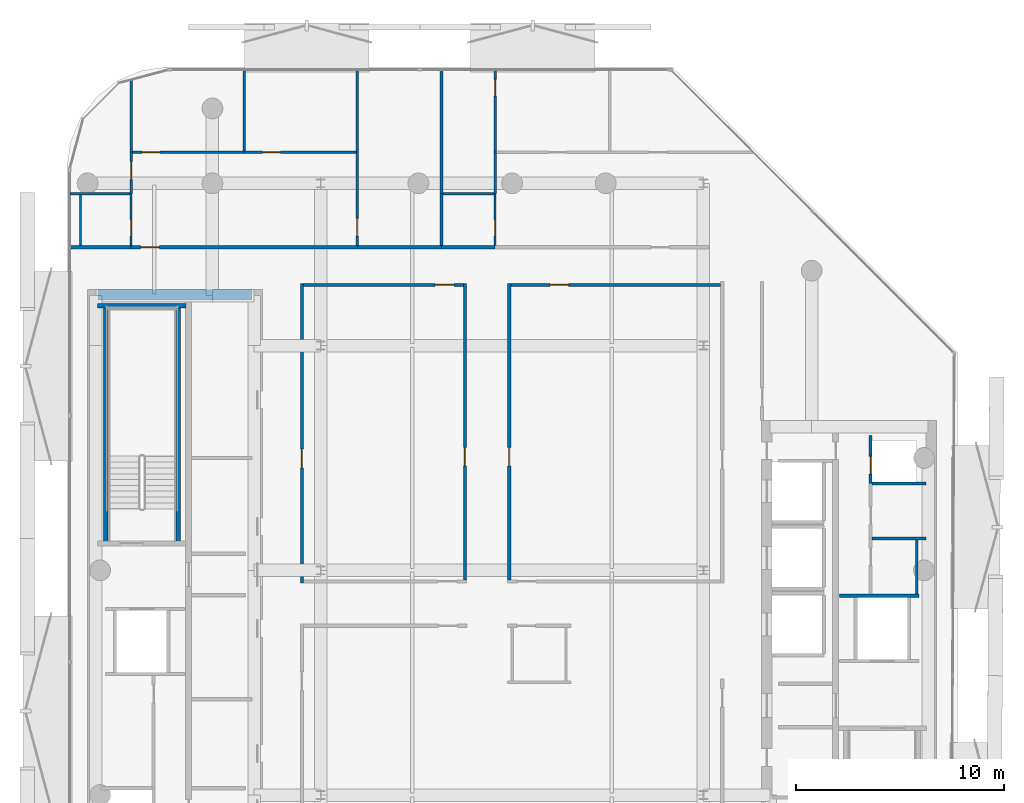
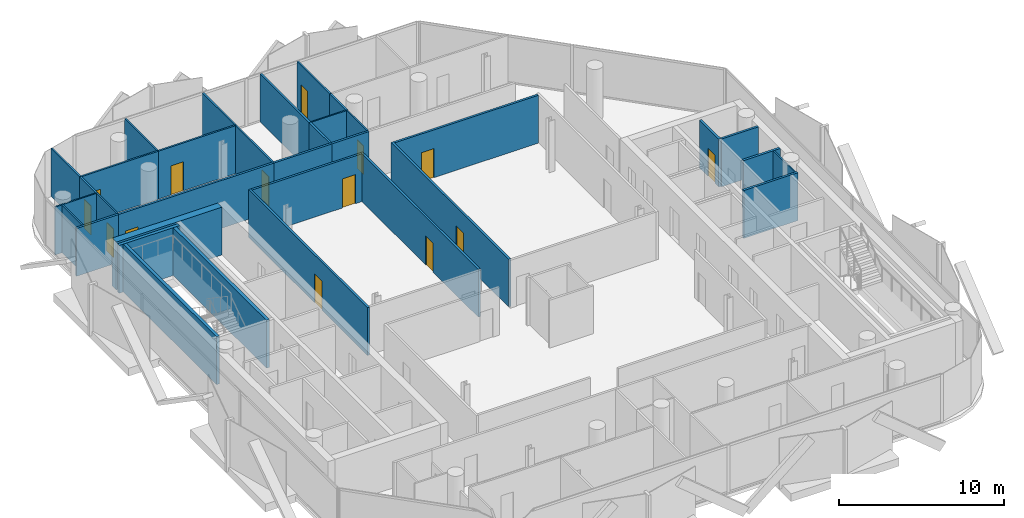
# One storey, part 7 of 16: 34 walls, 14 doors, 14 openings.
"""IFC4 building model written with IfcOpenShell, lengths in metres."""

from ifc_helpers import new_model, si_unit, direction, frame, frame_2d, origin, place, context, subcontext, project, spatial, rectangle, extrude, material, layer, layer_set, type_object, element, fill, save


model = new_model("IFC4")

# Units and contexts
model_context = context("Model", 3, precision=1e-05, world=origin(), true_north=direction((0.0, 1.0)))
body_context = subcontext(model_context, "Body", "Model", "MODEL_VIEW")
ifc_project = project(units=[si_unit("LENGTHUNIT", "METRE"), si_unit("AREAUNIT", "SQUARE_METRE"), si_unit("VOLUMEUNIT", "CUBIC_METRE"), si_unit("PLANEANGLEUNIT", "RADIAN"), si_unit("MASSUNIT", "GRAM", prefix="KILO")], contexts=[model_context])

# Site, building, storey
site_placement = place(None, origin())
site = spatial("IfcSite", under=ifc_project, at=site_placement, CompositionType="ELEMENT")
building_placement = place(site_placement, origin())
building = spatial("IfcBuilding", under=site, at=building_placement, Name="Khairoan Windgate Tower", CompositionType="ELEMENT")
storey_placement = place(building_placement, frame((0.0, 0.0, 300.39990234375)))
storey = spatial("IfcBuildingStorey", under=building, at=storey_placement, Name="L72", CompositionType="ELEMENT", Elevation=300.39990234375)

# Wall
ifc_material_1 = material(Name="Moisture-Resistant Gypsum Partition", Category="gypsum")
ifc_layer_1 = layer(ifc_material_1, 0.10009765625, Name="Moisture-Resistant Gypsum Partition")
ifc_layer_set_1 = layer_set([ifc_layer_1], Name="Moisture-Resistant Gypsum Partition")
wall_type_1 = type_object("IfcWallType", Name="Bathroom Wet-Area Partition Wall", PredefinedType="PARTITIONING", material=ifc_layer_set_1)
wall_1_placement = place(storey_placement, frame((-21.2548828125, 18.10009765625, 0.0), z_axis=(0.0, 0.0, 1.0), x_axis=(1.0, 0.0, 0.0)))
element("IfcWall", 1, at=wall_1_placement, inside=storey, type_object=wall_type_1, Name="L72 Interior Partition 036", PredefinedType="PARTITIONING", context=body_context, shape_type="SweptSolid", body=[
    extrude(rectangle(XDim=2.894775390625, YDim=0.10009765625, at=frame_2d((1.447265625, 0.0))), origin(), (0.0, 0.0, 1.0), 3.5400390625),
])

# Wall, opening, door
wall_2_placement = place(storey_placement, frame((-18.31005859375, 15.60009765625, 0.0), z_axis=(0.0, 0.0, 1.0), x_axis=(0.0, 1.0, 0.0)))
wall_2 = element("IfcWall", 2, at=wall_2_placement, inside=storey, type_object=wall_type_1, Name="L72 Interior Partition 037", PredefinedType="PARTITIONING", context=body_context, shape_type="SweptSolid", body=[
    extrude(rectangle(XDim=2.5, YDim=0.10009765625, at=frame_2d((1.25, 0.0))), origin(), (0.0, 0.0, 1.0), 3.5400390625),
])
opening_1_placement = place(wall_2_placement, frame((0.4599609375, 0.0, 0.0)))
opening_1 = element("IfcOpeningElement", 3, at=opening_1_placement, cuts=wall_2, Name="Opening ID-BTH", PredefinedType="OPENING", context=body_context, shape_type="SweptSolid", body=[
    extrude(rectangle(XDim=0.800048828125, YDim=2.10009765625, at=frame_2d((0.39990234375, 1.050048828125))), frame((0.0, 0.06005859375, 0.0), z_axis=(0.0, -1.0, 0.0), x_axis=(1.0, 0.0, 0.0)), (0.0, 0.0, 1.0), 0.1201171875),
])
ifc_material_2 = material(Name="Teak Veneer Timber Leaf", Category="wood")
door_type_1 = type_object("IfcDoorType", Name="Internal Bathroom Door ID-BTH 800x2100", OperationType="NOTDEFINED", PredefinedType="DOOR", material=ifc_material_2)
door_1_placement = place(opening_1_placement, origin())
door_1 = element("IfcDoor", 4, at=door_1_placement, inside=storey, type_object=door_type_1, Name="L72 L72-33-L72-35 Door", OperationType="SINGLE_SWING_RIGHT", OverallHeight=2.10009765625, OverallWidth=0.800048828125, PredefinedType="DOOR", context=body_context, shape_type="SweptSolid", body=[
    extrude(rectangle(XDim=0.800048828125, YDim=2.10009765625, at=frame_2d((0.39990234375, 1.050048828125))), frame((0.0, 0.02490234375, 0.0), z_axis=(0.0, -1.0, 0.0), x_axis=(1.0, 0.0, 0.0)), (0.0, 0.0, 1.0), 0.050048828125),
])
fill(opening_1, door_1)

# Wall
wall_3_placement = place(storey_placement, frame((-3.330078125, 18.10009765625, 0.0), z_axis=(0.0, 0.0, 1.0), x_axis=(1.0, 0.0, 0.0)))
element("IfcWall", 5, at=wall_3_placement, inside=storey, type_object=wall_type_1, Name="L72 Interior Partition 047", PredefinedType="PARTITIONING", context=body_context, shape_type="SweptSolid", body=[
    extrude(rectangle(XDim=2.469970703125, YDim=0.10009765625, at=frame_2d((1.23486328125, 0.0))), origin(), (0.0, 0.0, 1.0), 3.5400390625),
])

# Wall, opening, door
wall_4_placement = place(storey_placement, frame((-0.81005859375, 15.60009765625, 0.0), z_axis=(0.0, 0.0, 1.0), x_axis=(0.0, 1.0, 0.0)))
wall_4 = element("IfcWall", 6, at=wall_4_placement, inside=storey, type_object=wall_type_1, Name="L72 Interior Partition 048", PredefinedType="PARTITIONING", context=body_context, shape_type="SweptSolid", body=[
    extrude(rectangle(XDim=2.5, YDim=0.10009765625, at=frame_2d((1.25, 0.0))), origin(), (0.0, 0.0, 1.0), 3.5400390625),
])
opening_2_placement = place(wall_4_placement, frame((0.4599609375, 0.0, 0.0)))
opening_2 = element("IfcOpeningElement", 7, at=opening_2_placement, cuts=wall_4, Name="Opening ID-BTH", PredefinedType="OPENING", context=body_context, shape_type="SweptSolid", body=[
    extrude(rectangle(XDim=0.800048828125, YDim=2.10009765625, at=frame_2d((0.39990234375, 1.050048828125))), frame((0.0, 0.06005859375, 0.0), z_axis=(0.0, -1.0, 0.0), x_axis=(1.0, 0.0, 0.0)), (0.0, 0.0, 1.0), 0.1201171875),
])
door_2_placement = place(opening_2_placement, origin())
door_2 = element("IfcDoor", 8, at=door_2_placement, inside=storey, type_object=door_type_1, Name="L72 L72-39-L72-41 Door", OperationType="SINGLE_SWING_LEFT", OverallHeight=2.10009765625, OverallWidth=0.800048828125, PredefinedType="DOOR", context=body_context, shape_type="SweptSolid", body=[
    extrude(rectangle(XDim=0.800048828125, YDim=2.10009765625, at=frame_2d((0.39990234375, 1.050048828125))), frame((0.0, 0.02490234375, 0.0), z_axis=(0.0, -1.0, 0.0), x_axis=(1.0, 0.0, 0.0)), (0.0, 0.0, 1.0), 0.050048828125),
])
fill(opening_2, door_2)

# Walls
wall_5_placement = place(storey_placement, frame((19.449951171875, 1.449951171875, 0.0), z_axis=(0.0, 0.0, 1.0), x_axis=(0.0, -1.0, 0.0)))
element("IfcWall", 9, at=wall_5_placement, inside=storey, type_object=wall_type_1, Name="L72 Wet Room Side Wall 073", PredefinedType="PARTITIONING", context=body_context, shape_type="SweptSolid", body=[
    extrude(rectangle(XDim=2.58984375, YDim=0.10009765625, at=frame_2d((1.294921875, 0.0))), origin(), (0.0, 0.0, 1.0), 3.5400390625),
])
wall_6_placement = place(storey_placement, frame((-20.739990234375, 15.60009765625, 0.0), z_axis=(0.0, 0.0, 1.0), x_axis=(0.0, 1.0, 0.0)))
element("IfcWall", 10, at=wall_6_placement, inside=storey, type_object=wall_type_1, Name="L72 Wet Room Side Wall 074", PredefinedType="PARTITIONING", context=body_context, shape_type="SweptSolid", body=[
    extrude(rectangle(XDim=2.449951171875, YDim=0.10009765625, at=frame_2d((1.22509765625, 0.0))), origin(), (0.0, 0.0, 1.0), 3.5400390625),
])
ifc_material_3 = material(Name="Concrete C40/50", Category="concrete")
ifc_layer_2 = layer(ifc_material_3, 0.159912109375, Name="Concrete C40/50")
ifc_layer_set_2 = layer_set([ifc_layer_2], Name="Concrete C40/50")
wall_type_2 = type_object("IfcWallType", Name="Core and Hoistway Enclosure Wall", PredefinedType="STANDARD", material=ifc_layer_set_2)
wall_7_placement = place(storey_placement, frame((15.75, -1.219970703125, 0.0), z_axis=(0.0, 0.0, 1.0), x_axis=(1.0, 0.0, 0.0)))
element("IfcWall", 11, at=wall_7_placement, inside=storey, type_object=wall_type_2, Name="L72 Core Shaft Wall SW-FL1T-L72", PredefinedType="STANDARD", context=body_context, shape_type="SweptSolid", body=[
    extrude(rectangle(XDim=3.800048828125, YDim=0.159912109375, at=frame_2d((1.89990234375, 0.0))), origin(), (0.0, 0.0, 1.0), 3.5400390625),
])
ifc_material_4 = material(Name="Acoustic Fire-Rated Gypsum Partition", Category="gypsum")
ifc_layer_3 = layer(ifc_material_4, 0.139892578125, Name="Acoustic Fire-Rated Gypsum Partition")
ifc_layer_set_3 = layer_set([ifc_layer_3], Name="Acoustic Fire-Rated Gypsum Partition")
wall_type_3 = type_object("IfcWallType", Name="Inter-Tenancy Compartment Wall", PredefinedType="PARTITIONING", material=ifc_layer_set_3)
wall_8_placement = place(storey_placement, frame((-3.39990234375, 15.60009765625, 0.0), z_axis=(0.0, 0.0, 1.0), x_axis=(0.0, 1.0, 0.0)))
element("IfcWall", 12, at=wall_8_placement, inside=storey, type_object=wall_type_3, Name="L72 Interior Partition 044", PredefinedType="PARTITIONING", context=body_context, shape_type="SweptSolid", body=[
    extrude(rectangle(XDim=2.5, YDim=0.139892578125, at=frame_2d((1.25, 0.0))), origin(), (0.0, 0.0, 1.0), 3.5400390625),
])
wall_9_placement = place(storey_placement, frame((-3.39990234375, 18.10009765625, 0.0), z_axis=(0.0, 0.0, 1.0), x_axis=(0.0, 1.0, 0.0)))
element("IfcWall", 13, at=wall_9_placement, inside=storey, type_object=wall_type_3, Name="L72 Interior Partition 045", PredefinedType="PARTITIONING", context=body_context, shape_type="SweptSolid", body=[
    extrude(rectangle(XDim=5.954833984375, YDim=0.139892578125, at=frame_2d((2.9775390625, 0.0))), origin(), (0.0, 0.0, 1.0), 3.5400390625),
])

# Wall, opening, door
ifc_material_5 = material(Name="Gypsum Stud Partition", Category="gypsum")
ifc_layer_4 = layer(ifc_material_5, 0.1201171875, Name="Gypsum Stud Partition")
ifc_layer_set_4 = layer_set([ifc_layer_4], Name="Gypsum Stud Partition")
wall_type_4 = type_object("IfcWallType", Name="Internal Room Partition Wall", PredefinedType="PARTITIONING", material=ifc_layer_set_4)
wall_10_placement = place(storey_placement, frame((-18.31005859375, 18.10009765625, 0.0), z_axis=(0.0, 0.0, 1.0), x_axis=(0.0, 1.0, 0.0)))
wall_10 = element("IfcWall", 14, at=wall_10_placement, inside=storey, type_object=wall_type_4, Name="L72 Interior Partition 038", PredefinedType="PARTITIONING", context=body_context, shape_type="SweptSolid", body=[
    extrude(rectangle(XDim=2.0, YDim=0.1201171875, at=frame_2d((1.0, 0.0))), origin(), (0.0, 0.0, 1.0), 3.5400390625),
])
opening_3_placement = place(wall_10_placement, frame((0.679931640625, 0.0, 0.0)))
opening_3 = element("IfcOpeningElement", 15, at=opening_3_placement, cuts=wall_10, Name="Opening ID-RM", PredefinedType="OPENING", context=body_context, shape_type="SweptSolid", body=[
    extrude(rectangle(XDim=0.860107421875, YDim=2.14990234375, at=frame_2d((0.43017578125, 1.074951171875))), frame((0.0, 0.070068359375, 0.0), z_axis=(0.0, -1.0, 0.0), x_axis=(1.0, 0.0, 0.0)), (0.0, 0.0, 1.0), 0.14013671875),
])
ifc_material_6 = material(Name="Teak Veneer Timber Leaf", Category="wood")
door_type_2 = type_object("IfcDoorType", Name="Internal Bedroom and Office Door ID-RM 860x2150", OperationType="NOTDEFINED", PredefinedType="DOOR", material=ifc_material_6)
door_3_placement = place(opening_3_placement, origin())
door_3 = element("IfcDoor", 16, at=door_3_placement, inside=storey, type_object=door_type_2, Name="L72 L72-34-L72-35 Door", OperationType="SINGLE_SWING_LEFT", OverallHeight=2.14990234375, OverallWidth=0.860107421875, PredefinedType="DOOR", context=body_context, shape_type="SweptSolid", body=[
    extrude(rectangle(XDim=0.860107421875, YDim=2.14990234375, at=frame_2d((0.43017578125, 1.074951171875))), frame((0.0, 0.02490234375, 0.0), z_axis=(0.0, -1.0, 0.0), x_axis=(1.0, 0.0, 0.0)), (0.0, 0.0, 1.0), 0.050048828125),
])
fill(opening_3, door_3)

# Wall
wall_11_placement = place(storey_placement, frame((-18.31005859375, 20.10009765625, 0.0), z_axis=(0.0, 0.0, 1.0), x_axis=(0.0, 1.0, 0.0)))
element("IfcWall", 17, at=wall_11_placement, inside=storey, type_object=wall_type_4, Name="L72 Interior Partition 039", PredefinedType="PARTITIONING", context=body_context, shape_type="SweptSolid", body=[
    extrude(rectangle(XDim=3.468505859375, YDim=0.1201171875, at=frame_2d((1.734375, 0.0))), origin(), (0.0, 0.0, 1.0), 3.5400390625),
])

# Wall, opening, door
wall_12_placement = place(storey_placement, frame((-7.43994140625, 15.60009765625, 0.0), z_axis=(0.0, 0.0, 1.0), x_axis=(0.0, 1.0, 0.0)))
wall_12 = element("IfcWall", 18, at=wall_12_placement, inside=storey, type_object=wall_type_4, Name="L72 Interior Partition 040", PredefinedType="PARTITIONING", context=body_context, shape_type="SweptSolid", body=[
    extrude(rectangle(XDim=4.5, YDim=0.1201171875, at=frame_2d((2.25, 0.0))), origin(), (0.0, 0.0, 1.0), 3.5400390625),
])
opening_4_placement = place(wall_12_placement, frame((0.4599609375, 0.0, 0.0)))
opening_4 = element("IfcOpeningElement", 19, at=opening_4_placement, cuts=wall_12, Name="Opening ID-RM", PredefinedType="OPENING", context=body_context, shape_type="SweptSolid", body=[
    extrude(rectangle(XDim=0.860107421875, YDim=2.14990234375, at=frame_2d((0.43017578125, 1.074951171875))), frame((0.0, 0.070068359375, 0.0), z_axis=(0.0, -1.0, 0.0), x_axis=(1.0, 0.0, 0.0)), (0.0, 0.0, 1.0), 0.14013671875),
])
door_4_placement = place(opening_4_placement, origin())
door_4 = element("IfcDoor", 20, at=door_4_placement, inside=storey, type_object=door_type_2, Name="L72 L72-35-L72-36 Door", OperationType="SINGLE_SWING_RIGHT", OverallHeight=2.14990234375, OverallWidth=0.860107421875, PredefinedType="DOOR", context=body_context, shape_type="SweptSolid", body=[
    extrude(rectangle(XDim=0.860107421875, YDim=2.14990234375, at=frame_2d((0.43017578125, 1.074951171875))), frame((0.0, 0.02490234375, 0.0), z_axis=(0.0, -1.0, 0.0), x_axis=(1.0, 0.0, 0.0)), (0.0, 0.0, 1.0), 0.050048828125),
])
fill(opening_4, door_4)

wall_13_placement = place(storey_placement, frame((-18.25, 20.10009765625, 0.0), z_axis=(0.0, 0.0, 1.0), x_axis=(1.0, 0.0, 0.0)))
wall_13 = element("IfcWall", 21, at=wall_13_placement, inside=storey, type_object=wall_type_4, Name="L72 Interior Partition 041", PredefinedType="PARTITIONING", context=body_context, shape_type="SweptSolid", body=[
    extrude(rectangle(XDim=5.375, YDim=0.1201171875, at=frame_2d((2.6875, 0.0))), origin(), (0.0, 0.0, 1.0), 3.5400390625),
])
opening_5_placement = place(wall_13_placement, frame((0.4599609375, 0.0, 0.0)))
opening_5 = element("IfcOpeningElement", 22, at=opening_5_placement, cuts=wall_13, Name="Opening ID-RM", PredefinedType="OPENING", context=body_context, shape_type="SweptSolid", body=[
    extrude(rectangle(XDim=0.860107421875, YDim=2.14990234375, at=frame_2d((0.43017578125, 1.074951171875))), frame((0.0, 0.070068359375, 0.0), z_axis=(0.0, -1.0, 0.0), x_axis=(1.0, 0.0, 0.0)), (0.0, 0.0, 1.0), 0.14013671875),
])
door_5_placement = place(opening_5_placement, origin())
door_5 = element("IfcDoor", 23, at=door_5_placement, inside=storey, type_object=door_type_2, Name="L72 L72-35-L72-37 Door", OperationType="SINGLE_SWING_LEFT", OverallHeight=2.14990234375, OverallWidth=0.860107421875, PredefinedType="DOOR", context=body_context, shape_type="SweptSolid", body=[
    extrude(rectangle(XDim=0.860107421875, YDim=2.14990234375, at=frame_2d((0.43017578125, 1.074951171875))), frame((0.0, 0.02490234375, 0.0), z_axis=(0.0, -1.0, 0.0), x_axis=(1.0, 0.0, 0.0)), (0.0, 0.0, 1.0), 0.050048828125),
])
fill(opening_5, door_5)

wall_14_placement = place(storey_placement, frame((-12.875, 20.10009765625, 0.0), z_axis=(0.0, 0.0, 1.0), x_axis=(1.0, 0.0, 0.0)))
wall_14 = element("IfcWall", 24, at=wall_14_placement, inside=storey, type_object=wall_type_4, Name="L72 Interior Partition 042", PredefinedType="PARTITIONING", context=body_context, shape_type="SweptSolid", body=[
    extrude(rectangle(XDim=5.375, YDim=0.1201171875, at=frame_2d((2.6875, 0.0))), origin(), (0.0, 0.0, 1.0), 3.5400390625),
])
opening_6_placement = place(wall_14_placement, frame((0.8828125, 0.0, 0.0)))
opening_6 = element("IfcOpeningElement", 25, at=opening_6_placement, cuts=wall_14, Name="Opening ID-RM", PredefinedType="OPENING", context=body_context, shape_type="SweptSolid", body=[
    extrude(rectangle(XDim=0.860107421875, YDim=2.14990234375, at=frame_2d((0.43017578125, 1.074951171875))), frame((0.0, 0.070068359375, 0.0), z_axis=(0.0, -1.0, 0.0), x_axis=(1.0, 0.0, 0.0)), (0.0, 0.0, 1.0), 0.14013671875),
])
door_6_placement = place(opening_6_placement, origin())
door_6 = element("IfcDoor", 26, at=door_6_placement, inside=storey, type_object=door_type_2, Name="L72 L72-35-L72-38 Door", OperationType="SINGLE_SWING_RIGHT", OverallHeight=2.14990234375, OverallWidth=0.860107421875, PredefinedType="DOOR", context=body_context, shape_type="SweptSolid", body=[
    extrude(rectangle(XDim=0.860107421875, YDim=2.14990234375, at=frame_2d((0.43017578125, 1.074951171875))), frame((0.0, 0.02490234375, 0.0), z_axis=(0.0, -1.0, 0.0), x_axis=(1.0, 0.0, 0.0)), (0.0, 0.0, 1.0), 0.050048828125),
])
fill(opening_6, door_6)

# Walls
wall_15_placement = place(storey_placement, frame((-7.43994140625, 20.10009765625, 0.0), z_axis=(0.0, 0.0, 1.0), x_axis=(0.0, 1.0, 0.0)))
element("IfcWall", 27, at=wall_15_placement, inside=storey, type_object=wall_type_4, Name="L72 Interior Partition 043", PredefinedType="PARTITIONING", context=body_context, shape_type="SweptSolid", body=[
    extrude(rectangle(XDim=3.954833984375, YDim=0.1201171875, at=frame_2d((1.9775390625, 0.0))), origin(), (0.0, 0.0, 1.0), 3.5400390625),
])
wall_16_placement = place(storey_placement, frame((-12.875, 20.159912109375, 0.0), z_axis=(0.0, 0.0, 1.0), x_axis=(0.0, 1.0, 0.0)))
element("IfcWall", 28, at=wall_16_placement, inside=storey, type_object=wall_type_4, Name="L72 Interior Partition 046", PredefinedType="PARTITIONING", context=body_context, shape_type="SweptSolid", body=[
    extrude(rectangle(XDim=3.89501953125, YDim=0.1201171875, at=frame_2d((1.947509765625, 0.0))), origin(), (0.0, 0.0, 1.0), 3.5400390625),
])
wall_17_placement = place(storey_placement, frame((-0.81005859375, 18.10009765625, 0.0), z_axis=(0.0, 0.0, 1.0), x_axis=(0.0, 1.0, 0.0)))
element("IfcWall", 29, at=wall_17_placement, inside=storey, type_object=wall_type_4, Name="L72 Interior Partition 049", PredefinedType="PARTITIONING", context=body_context, shape_type="SweptSolid", body=[
    extrude(rectangle(XDim=2.0, YDim=0.1201171875, at=frame_2d((1.0, 0.0))), origin(), (0.0, 0.0, 1.0), 3.5400390625),
])

# Wall, opening, door
wall_18_placement = place(storey_placement, frame((-0.81005859375, 20.10009765625, 0.0), z_axis=(0.0, 0.0, 1.0), x_axis=(0.0, 1.0, 0.0)))
wall_18 = element("IfcWall", 30, at=wall_18_placement, inside=storey, type_object=wall_type_4, Name="L72 Interior Partition 050", PredefinedType="PARTITIONING", context=body_context, shape_type="SweptSolid", body=[
    extrude(rectangle(XDim=3.954833984375, YDim=0.1201171875, at=frame_2d((1.9775390625, 0.0))), origin(), (0.0, 0.0, 1.0), 3.5400390625),
])
opening_7_placement = place(wall_18_placement, frame((2.695068359375, 0.0, 0.0)))
opening_7 = element("IfcOpeningElement", 31, at=opening_7_placement, cuts=wall_18, Name="Opening ID-BTH", PredefinedType="OPENING", context=body_context, shape_type="SweptSolid", body=[
    extrude(rectangle(XDim=0.800048828125, YDim=2.10009765625, at=frame_2d((0.39990234375, 1.050048828125))), frame((0.0, 0.070068359375, 0.0), z_axis=(0.0, -1.0, 0.0), x_axis=(1.0, 0.0, 0.0)), (0.0, 0.0, 1.0), 0.14013671875),
])
door_7_placement = place(opening_7_placement, origin())
door_7 = element("IfcDoor", 32, at=door_7_placement, inside=storey, type_object=door_type_1, Name="L72 L72-40-L72-42 Door", OperationType="SINGLE_SWING_LEFT", OverallHeight=2.10009765625, OverallWidth=0.800048828125, PredefinedType="DOOR", context=body_context, shape_type="SweptSolid", body=[
    extrude(rectangle(XDim=0.800048828125, YDim=2.10009765625, at=frame_2d((0.39990234375, 1.050048828125))), frame((0.0, 0.02490234375, 0.0), z_axis=(0.0, -1.0, 0.0), x_axis=(1.0, 0.0, 0.0)), (0.0, 0.0, 1.0), 0.050048828125),
])
fill(opening_7, door_7)

ifc_material_7 = material(Name="Concrete C40/50", Category="concrete")
ifc_layer_5 = layer(ifc_material_7, 0.159912109375, Name="Concrete C40/50")
ifc_layer_set_5 = layer_set([ifc_layer_5], Name="Concrete C40/50")
wall_type_5 = type_object("IfcWallType", Name="Plant and Refuge Compartment Wall", PredefinedType="PARTITIONING", material=ifc_layer_set_5)
wall_19_placement = place(storey_placement, frame((17.22998046875, 4.169921875, 0.0), z_axis=(0.0, 0.0, 1.0), x_axis=(0.0, 1.0, 0.0)))
wall_19 = element("IfcWall", 33, at=wall_19_placement, inside=storey, type_object=wall_type_5, Name="L72 Interior Partition 006", PredefinedType="PARTITIONING", context=body_context, shape_type="SweptSolid", body=[
    extrude(rectangle(XDim=2.320068359375, YDim=0.159912109375, at=frame_2d((1.16015625, 0.0))), origin(), (0.0, 0.0, 1.0), 3.5400390625),
])
opening_8_placement = place(wall_19_placement, frame((0.4599609375, 0.0, 0.0)))
opening_8 = element("IfcOpeningElement", 34, at=opening_8_placement, cuts=wall_19, Name="Opening FD-SRV", PredefinedType="OPENING", context=body_context, shape_type="SweptSolid", body=[
    extrude(rectangle(XDim=0.85009765625, YDim=2.10009765625, at=frame_2d((0.425048828125, 1.050048828125))), frame((0.0, 0.08984375, 0.0), z_axis=(0.0, -1.0, 0.0), x_axis=(1.0, 0.0, 0.0)), (0.0, 0.0, 1.0), 0.179931640625),
])
ifc_material_8 = material(Name="Steel S355", Category="steel")
door_type_3 = type_object("IfcDoorType", Name="Core Service and Riser Fire Door FD-SRV 850x2100", OperationType="NOTDEFINED", PredefinedType="DOOR", material=ifc_material_8)
door_8_placement = place(opening_8_placement, origin())
door_8 = element("IfcDoor", 35, at=door_8_placement, inside=storey, type_object=door_type_3, Name="L72 L72-16-L72-17 Door", OperationType="SINGLE_SWING_RIGHT", OverallHeight=2.10009765625, OverallWidth=0.85009765625, PredefinedType="DOOR", context=body_context, shape_type="SweptSolid", body=[
    extrude(rectangle(XDim=0.85009765625, YDim=2.10009765625, at=frame_2d((0.425048828125, 1.050048828125))), frame((0.0, 0.02490234375, 0.0), z_axis=(0.0, -1.0, 0.0), x_axis=(1.0, 0.0, 0.0)), (0.0, 0.0, 1.0), 0.050048828125),
])
fill(opening_8, door_8)

# Walls
for number, where, z_axis, x_axis, name in (
    (36, (17.31005859375, 4.169921875, 0.0), (0.0, 0.0, 1.0), (1.0, 0.0, 0.0), "L72 Interior Partition 009"),
    (37, (17.31005859375, 1.530029296875, 0.0), (0.0, 0.0, 1.0), (1.0, 0.0, 0.0), "L72 Interior Partition 010"),
):
    element("IfcWall", number, at=place(storey_placement, frame(where, z_axis=z_axis, x_axis=x_axis)), inside=storey, type_object=wall_type_5, Name=name, PredefinedType="PARTITIONING", context=body_context, shape_type="SweptSolid", body=[
        extrude(rectangle(XDim=2.58984375, YDim=0.159912109375, at=frame_2d((1.294921875, 0.0))), origin(), (0.0, 0.0, 1.0), 3.5400390625),
    ])

# Wall, opening, door
ifc_material_9 = material(Name="Acoustic Fire-Rated Gypsum Partition", Category="gypsum")
ifc_layer_6 = layer(ifc_material_9, 0.14990234375, Name="Acoustic Fire-Rated Gypsum Partition")
ifc_layer_set_6 = layer_set([ifc_layer_6], Name="Acoustic Fire-Rated Gypsum Partition")
wall_type_6 = type_object("IfcWallType", Name="Rated Corridor Partition Wall", PredefinedType="PARTITIONING", material=ifc_layer_set_6)
wall_20_placement = place(storey_placement, frame((-10.10009765625, -0.610107421875, 0.0), z_axis=(0.0, 0.0, 1.0), x_axis=(0.0, 1.0, 0.0)))
wall_20 = element("IfcWall", 38, at=wall_20_placement, inside=storey, type_object=wall_type_6, Name="L72 Interior Partition 012", PredefinedType="PARTITIONING", context=body_context, shape_type="SweptSolid", body=[
    extrude(rectangle(XDim=14.405029296875, YDim=0.14990234375, at=frame_2d((7.20263671875, 0.0))), origin(), (0.0, 0.0, 1.0), 3.5400390625),
])
opening_9_placement = place(wall_20_placement, frame((5.53466796875, 0.0, 0.0)))
opening_9 = element("IfcOpeningElement", 39, at=opening_9_placement, cuts=wall_20, Name="Opening FD-ENT", PredefinedType="OPENING", context=body_context, shape_type="SweptSolid", body=[
    extrude(rectangle(XDim=0.89990234375, YDim=2.14990234375, at=frame_2d((0.449951171875, 1.074951171875))), frame((0.0, 0.0849609375, 0.0), z_axis=(0.0, -1.0, 0.0), x_axis=(1.0, 0.0, 0.0)), (0.0, 0.0, 1.0), 0.169921875),
])
ifc_material_10 = material(Name="Timber Fire-Rated Core", Category="wood")
door_type_4 = type_object("IfcDoorType", Name="Unit and Office Fire Entrance Door FD-ENT 900x2150", OperationType="NOTDEFINED", PredefinedType="DOOR", material=ifc_material_10)
door_9_placement = place(opening_9_placement, origin())
door_9 = element("IfcDoor", 40, at=door_9_placement, inside=storey, type_object=door_type_4, Name="L72 L72-27-L72-56 Door", OperationType="SINGLE_SWING_LEFT", OverallHeight=2.14990234375, OverallWidth=0.89990234375, PredefinedType="DOOR", context=body_context, shape_type="SweptSolid", body=[
    extrude(rectangle(XDim=0.89990234375, YDim=2.14990234375, at=frame_2d((0.449951171875, 1.074951171875))), frame((0.0, 0.02490234375, 0.0), z_axis=(0.0, -1.0, 0.0), x_axis=(1.0, 0.0, 0.0)), (0.0, 0.0, 1.0), 0.050048828125),
])
fill(opening_9, door_9)

wall_21_placement = place(storey_placement, frame((-2.264892578125, -0.4599609375, 0.0), z_axis=(0.0, 0.0, 1.0), x_axis=(0.0, 1.0, 0.0)))
wall_21 = element("IfcWall", 41, at=wall_21_placement, inside=storey, type_object=wall_type_6, Name="L72 Interior Partition 021", PredefinedType="PARTITIONING", context=body_context, shape_type="SweptSolid", body=[
    extrude(rectangle(XDim=14.2548828125, YDim=0.14990234375, at=frame_2d((7.12744140625, 0.0))), origin(), (0.0, 0.0, 1.0), 3.5400390625),
])
opening_10_placement = place(wall_21_placement, frame((5.47412109375, 0.0, 0.0)))
opening_10 = element("IfcOpeningElement", 42, at=opening_10_placement, cuts=wall_21, Name="Opening FD-ENT", PredefinedType="OPENING", context=body_context, shape_type="SweptSolid", body=[
    extrude(rectangle(XDim=0.89990234375, YDim=2.14990234375, at=frame_2d((0.449951171875, 1.074951171875))), frame((0.0, 0.0849609375, 0.0), z_axis=(0.0, -1.0, 0.0), x_axis=(1.0, 0.0, 0.0)), (0.0, 0.0, 1.0), 0.169921875),
])
door_10_placement = place(opening_10_placement, origin())
door_10 = element("IfcDoor", 43, at=door_10_placement, inside=storey, type_object=door_type_4, Name="L72 L72-30-L72-56 Door", OperationType="SINGLE_SWING_RIGHT", OverallHeight=2.14990234375, OverallWidth=0.89990234375, PredefinedType="DOOR", context=body_context, shape_type="SweptSolid", body=[
    extrude(rectangle(XDim=0.89990234375, YDim=2.14990234375, at=frame_2d((0.449951171875, 1.074951171875))), frame((0.0, 0.02490234375, 0.0), z_axis=(0.0, -1.0, 0.0), x_axis=(1.0, 0.0, 0.0)), (0.0, 0.0, 1.0), 0.050048828125),
])
fill(opening_10, door_10)

wall_22_placement = place(storey_placement, frame((-0.135009765625, -0.4599609375, 0.0), z_axis=(0.0, 0.0, 1.0), x_axis=(0.0, 1.0, 0.0)))
wall_22 = element("IfcWall", 44, at=wall_22_placement, inside=storey, type_object=wall_type_6, Name="L72 Interior Partition 022", PredefinedType="PARTITIONING", context=body_context, shape_type="SweptSolid", body=[
    extrude(rectangle(XDim=14.2548828125, YDim=0.14990234375, at=frame_2d((7.12744140625, 0.0))), origin(), (0.0, 0.0, 1.0), 3.5400390625),
])
opening_11_placement = place(wall_22_placement, frame((5.47412109375, 0.0, 0.0)))
opening_11 = element("IfcOpeningElement", 45, at=opening_11_placement, cuts=wall_22, Name="Opening FD-ENT", PredefinedType="OPENING", context=body_context, shape_type="SweptSolid", body=[
    extrude(rectangle(XDim=0.89990234375, YDim=2.14990234375, at=frame_2d((0.449951171875, 1.074951171875))), frame((0.0, 0.0849609375, 0.0), z_axis=(0.0, -1.0, 0.0), x_axis=(1.0, 0.0, 0.0)), (0.0, 0.0, 1.0), 0.169921875),
])
door_11_placement = place(opening_11_placement, origin())
door_11 = element("IfcDoor", 46, at=door_11_placement, inside=storey, type_object=door_type_4, Name="L72 L72-30-L72-58 Door", OperationType="SINGLE_SWING_LEFT", OverallHeight=2.14990234375, OverallWidth=0.89990234375, PredefinedType="DOOR", context=body_context, shape_type="SweptSolid", body=[
    extrude(rectangle(XDim=0.89990234375, YDim=2.14990234375, at=frame_2d((0.449951171875, 1.074951171875))), frame((0.0, 0.02490234375, 0.0), z_axis=(0.0, -1.0, 0.0), x_axis=(1.0, 0.0, 0.0)), (0.0, 0.0, 1.0), 0.050048828125),
])
fill(opening_11, door_11)

# Wall
wall_23_placement = place(storey_placement, frame((-21.2548828125, 15.52490234375, 0.0), z_axis=(0.0, 0.0, 1.0), x_axis=(1.0, 0.0, 0.0)))
element("IfcWall", 47, at=wall_23_placement, inside=storey, type_object=wall_type_6, Name="L72 Interior Partition 023", PredefinedType="PARTITIONING", context=body_context, shape_type="SweptSolid", body=[
    extrude(rectangle(XDim=2.94482421875, YDim=0.14990234375, at=frame_2d((1.472412109375, 0.0))), origin(), (0.0, 0.0, 1.0), 3.5400390625),
])

# Wall, opening, door
wall_24_placement = place(storey_placement, frame((-18.31005859375, 15.52490234375, 0.0), z_axis=(0.0, 0.0, 1.0), x_axis=(1.0, 0.0, 0.0)))
wall_24 = element("IfcWall", 48, at=wall_24_placement, inside=storey, type_object=wall_type_6, Name="L72 Interior Partition 024", PredefinedType="PARTITIONING", context=body_context, shape_type="SweptSolid", body=[
    extrude(rectangle(XDim=10.8701171875, YDim=0.14990234375, at=frame_2d((5.43505859375, 0.0))), origin(), (0.0, 0.0, 1.0), 3.5400390625),
])
opening_12_placement = place(wall_24_placement, frame((0.4599609375, 0.0, 0.0)))
opening_12 = element("IfcOpeningElement", 49, at=opening_12_placement, cuts=wall_24, Name="Opening FD-ENT", PredefinedType="OPENING", context=body_context, shape_type="SweptSolid", body=[
    extrude(rectangle(XDim=0.89990234375, YDim=2.14990234375, at=frame_2d((0.449951171875, 1.074951171875))), frame((0.0, 0.0849609375, 0.0), z_axis=(0.0, -1.0, 0.0), x_axis=(1.0, 0.0, 0.0)), (0.0, 0.0, 1.0), 0.169921875),
])
door_12_placement = place(opening_12_placement, origin())
door_12 = element("IfcDoor", 50, at=door_12_placement, inside=storey, type_object=door_type_4, Name="L72 L72-31-L72-35 Door", OperationType="SINGLE_SWING_RIGHT", OverallHeight=2.14990234375, OverallWidth=0.89990234375, PredefinedType="DOOR", context=body_context, shape_type="SweptSolid", body=[
    extrude(rectangle(XDim=0.89990234375, YDim=2.14990234375, at=frame_2d((0.449951171875, 1.074951171875))), frame((0.0, 0.02490234375, 0.0), z_axis=(0.0, -1.0, 0.0), x_axis=(1.0, 0.0, 0.0)), (0.0, 0.0, 1.0), 0.050048828125),
])
fill(opening_12, door_12)

# Walls
wall_25_placement = place(storey_placement, frame((-7.43994140625, 15.52490234375, 0.0), z_axis=(0.0, 0.0, 1.0), x_axis=(1.0, 0.0, 0.0)))
element("IfcWall", 51, at=wall_25_placement, inside=storey, type_object=wall_type_6, Name="L72 Interior Partition 025", PredefinedType="PARTITIONING", context=body_context, shape_type="SweptSolid", body=[
    extrude(rectangle(XDim=4.0400390625, YDim=0.14990234375, at=frame_2d((2.02001953125, 0.0))), origin(), (0.0, 0.0, 1.0), 3.5400390625),
])
wall_26_placement = place(storey_placement, frame((-3.39990234375, 15.52490234375, 0.0), z_axis=(0.0, 0.0, 1.0), x_axis=(1.0, 0.0, 0.0)))
element("IfcWall", 52, at=wall_26_placement, inside=storey, type_object=wall_type_6, Name="L72 Interior Partition 026", PredefinedType="PARTITIONING", context=body_context, shape_type="SweptSolid", body=[
    extrude(rectangle(XDim=2.58984375, YDim=0.14990234375, at=frame_2d((1.294921875, 0.0))), origin(), (0.0, 0.0, 1.0), 3.5400390625),
])

# Wall, opening, door
wall_27_placement = place(storey_placement, frame((-10.02490234375, 13.719970703125, 0.0), z_axis=(0.0, 0.0, 1.0), x_axis=(1.0, 0.0, 0.0)))
wall_27 = element("IfcWall", 53, at=wall_27_placement, inside=storey, type_object=wall_type_6, Name="L72 Interior Partition 028", PredefinedType="PARTITIONING", context=body_context, shape_type="SweptSolid", body=[
    extrude(rectangle(XDim=7.684814453125, YDim=0.14990234375, at=frame_2d((3.84228515625, 0.0))), origin(), (0.0, 0.0, 1.0), 3.5400390625),
])
opening_13_placement = place(wall_27_placement, frame((6.324951171875, 0.0, 0.0)))
opening_13 = element("IfcOpeningElement", 54, at=opening_13_placement, cuts=wall_27, Name="Opening FD-ENT", PredefinedType="OPENING", context=body_context, shape_type="SweptSolid", body=[
    extrude(rectangle(XDim=0.89990234375, YDim=2.14990234375, at=frame_2d((0.449951171875, 1.074951171875))), frame((0.0, 0.0849609375, 0.0), z_axis=(0.0, -1.0, 0.0), x_axis=(1.0, 0.0, 0.0)), (0.0, 0.0, 1.0), 0.169921875),
])
door_13_placement = place(opening_13_placement, origin())
door_13 = element("IfcDoor", 55, at=door_13_placement, inside=storey, type_object=door_type_4, Name="L72 L72-31-L72-56 Door", OperationType="SINGLE_SWING_RIGHT", OverallHeight=2.14990234375, OverallWidth=0.89990234375, PredefinedType="DOOR", context=body_context, shape_type="SweptSolid", body=[
    extrude(rectangle(XDim=0.89990234375, YDim=2.14990234375, at=frame_2d((0.449951171875, 1.074951171875))), frame((0.0, 0.02490234375, 0.0), z_axis=(0.0, -1.0, 0.0), x_axis=(1.0, 0.0, 0.0)), (0.0, 0.0, 1.0), 0.050048828125),
])
fill(opening_13, door_13)

wall_28_placement = place(storey_placement, frame((-0.06005859375, 13.719970703125, 0.0), z_axis=(0.0, 0.0, 1.0), x_axis=(1.0, 0.0, 0.0)))
wall_28 = element("IfcWall", 56, at=wall_28_placement, inside=storey, type_object=wall_type_6, Name="L72 Interior Partition 029", PredefinedType="PARTITIONING", context=body_context, shape_type="SweptSolid", body=[
    extrude(rectangle(XDim=10.0849609375, YDim=0.14990234375, at=frame_2d((5.04248046875, 0.0))), origin(), (0.0, 0.0, 1.0), 3.5400390625),
])
opening_14_placement = place(wall_28_placement, frame((1.874755859375, 0.0, 0.0)))
opening_14 = element("IfcOpeningElement", 57, at=opening_14_placement, cuts=wall_28, Name="Opening FD-ENT", PredefinedType="OPENING", context=body_context, shape_type="SweptSolid", body=[
    extrude(rectangle(XDim=0.89990234375, YDim=2.14990234375, at=frame_2d((0.449951171875, 1.074951171875))), frame((0.0, 0.0849609375, 0.0), z_axis=(0.0, -1.0, 0.0), x_axis=(1.0, 0.0, 0.0)), (0.0, 0.0, 1.0), 0.169921875),
])
door_14_placement = place(opening_14_placement, origin())
door_14 = element("IfcDoor", 58, at=door_14_placement, inside=storey, type_object=door_type_4, Name="L72 L72-31-L72-58 Door", OperationType="SINGLE_SWING_LEFT", OverallHeight=2.14990234375, OverallWidth=0.89990234375, PredefinedType="DOOR", context=body_context, shape_type="SweptSolid", body=[
    extrude(rectangle(XDim=0.89990234375, YDim=2.14990234375, at=frame_2d((0.449951171875, 1.074951171875))), frame((0.0, 0.02490234375, 0.0), z_axis=(0.0, -1.0, 0.0), x_axis=(1.0, 0.0, 0.0)), (0.0, 0.0, 1.0), 0.050048828125),
])
fill(opening_14, door_14)

# Walls
ifc_material_11 = material(Name="Concrete C50/60", Category="concrete")
ifc_layer_7 = layer(ifc_material_11, 0.5, Name="Concrete C50/60")
ifc_layer_set_7 = layer_set([ifc_layer_7], Name="Concrete C50/60")
wall_type_7 = type_object("IfcWallType", Name="Shear Wall CW-W3 500mm", PredefinedType="SHEAR", material=ifc_layer_set_7)
wall_29_placement = place(storey_placement, frame((-19.89990234375, 13.25, 0.0), z_axis=(0.0, 0.0, 1.0), x_axis=(1.0, 0.0, 0.0)))
element("IfcWall", 59, at=wall_29_placement, inside=storey, type_object=wall_type_7, Name="W Core North Shear Wall L72", PredefinedType="SHEAR", context=body_context, shape_type="SweptSolid", body=[
    extrude(rectangle(XDim=7.39990234375, YDim=0.5, at=frame_2d((3.699951171875, 0.0))), origin(), (0.0, 0.0, 1.0), 3.5400390625),
])
ifc_material_12 = material(Name="Concrete C50/60", Category="concrete")
ifc_layer_8 = layer(ifc_material_12, 0.219970703125, Name="Concrete C50/60")
ifc_layer_set_8 = layer_set([ifc_layer_8], Name="Concrete C50/60")
wall_type_8 = type_object("IfcWallType", Name="Shear Wall SW-ST 220mm", PredefinedType="SHEAR", material=ifc_layer_set_8)
for number, where, z_axis, x_axis, name in (
    (60, (-16.0400390625, 1.2900390625, 0.0), (0.0, 0.0, 1.0), (0.0, 1.0, 0.0), "L72 Stair ST2 East Bearing Wall"),
    (61, (-19.530029296875, 1.2900390625, 0.0), (0.0, 0.0, 1.0), (0.0, 1.0, 0.0), "L72 Stair ST2 West Bearing Wall"),
):
    element("IfcWall", number, at=place(storey_placement, frame(where, z_axis=z_axis, x_axis=x_axis)), inside=storey, type_object=wall_type_8, Name=name, PredefinedType="SHEAR", context=body_context, shape_type="SweptSolid", body=[
        extrude(rectangle(XDim=11.419921875, YDim=0.219970703125, at=frame_2d((5.7099609375, 0.0))), origin(), (0.0, 0.0, 1.0), 3.5400390625),
    ])
wall_30_placement = place(storey_placement, frame((-19.919921875, 12.7099609375, 0.0), z_axis=(0.0, 0.0, 1.0), x_axis=(1.0, 0.0, 0.0)))
element("IfcWall", 62, at=wall_30_placement, inside=storey, type_object=wall_type_8, Name="L72 Stair ST2 North Bearing Wall", PredefinedType="SHEAR", context=body_context, shape_type="SweptSolid", body=[
    extrude(rectangle(XDim=4.239990234375, YDim=0.219970703125, at=frame_2d((2.1201171875, 0.0))), origin(), (0.0, 0.0, 1.0), 3.5400390625),
])

save(model, "model.ifc")
